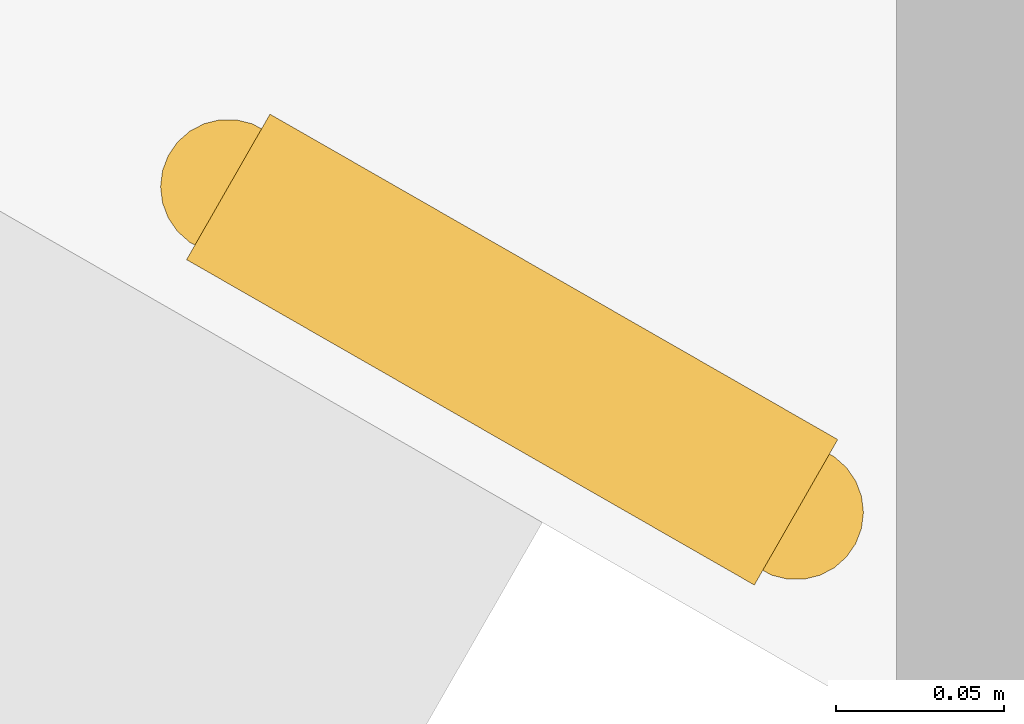
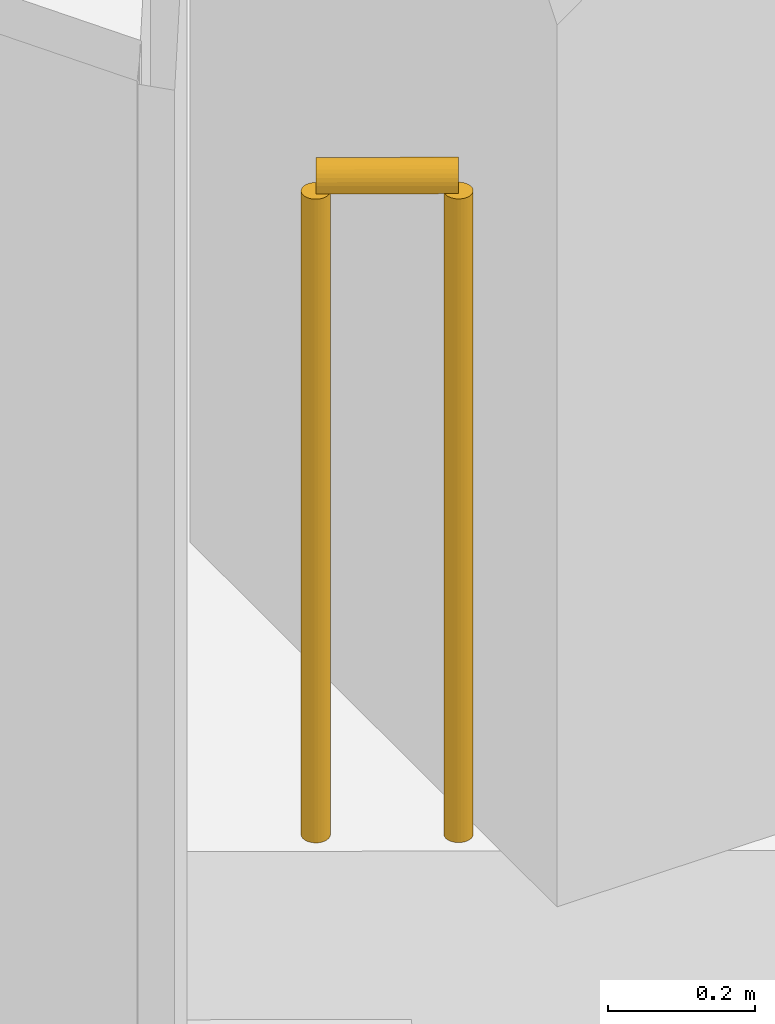
# One storey, part 31 of 34: 1 railing.
"""IFC4 building model written with IfcOpenShell, lengths in metres."""

from ifc_helpers import new_model, si_unit, direction, frame, origin, origin_2d, place, context, subcontext, project, spatial, circle, extrude, material, type_object, element, save


model = new_model("IFC4")

# Units and contexts
model_context = context("Model", 3, precision=1e-05, world=origin(), true_north=direction((0.0, 1.0)))
body_context = subcontext(model_context, "Body", "Model", "MODEL_VIEW")
ifc_project = project(units=[si_unit("LENGTHUNIT", "METRE"), si_unit("AREAUNIT", "SQUARE_METRE"), si_unit("VOLUMEUNIT", "CUBIC_METRE"), si_unit("PLANEANGLEUNIT", "RADIAN"), si_unit("MASSUNIT", "GRAM", prefix="KILO")], contexts=[model_context])

# Site, building, storey
site_placement = place(None, origin())
site = spatial("IfcSite", under=ifc_project, at=site_placement, CompositionType="ELEMENT")
building_placement = place(site_placement, origin())
building = spatial("IfcBuilding", under=site, at=building_placement, Name="Orlundy Tower", CompositionType="ELEMENT")
storey_placement = place(building_placement, frame((0.0, 0.0, 105.699951171875)))
storey = spatial("IfcBuildingStorey", under=building, at=storey_placement, Name="L26", CompositionType="ELEMENT", Elevation=105.699951171875)

# Railing
ifc_material = material(Name="Stainless steel bronze finish", Category="steel")
railing_type = type_object("IfcRailingType", Name="TG1 terrace guard", PredefinedType="GUARDRAIL", material=ifc_material)
railing_placement = place(storey_placement, frame((-38.345947265625, -46.552490234375, 0.0)))
element("IfcRailing", 1, at=railing_placement, inside=storey, type_object=railing_type, Name="Guard TG-L26-E01", PredefinedType="GUARDRAIL", context=body_context, shape_type="SweptSolid", body=[
    extrude(circle(Radius=0.02490234375, at=origin_2d()), frame((0.0, 0.0, 1.09521484375), z_axis=(-0.867624323336, 0.497220306861, 0.0), x_axis=(-0.497220306861, -0.867624323336, 0.0)), (0.0, 0.0, 1.0), 0.1943359375),
    extrude(circle(Radius=0.02001953125, at=origin_2d()), origin(), (0.0, 0.0, 1.0), 1.070068359375),
    extrude(circle(Radius=0.02001953125, at=origin_2d()), frame((-0.168701171875, 0.0966796875, 0.0)), (0.0, 0.0, 1.0), 1.070068359375),
])

save(model, "model.ifc")
